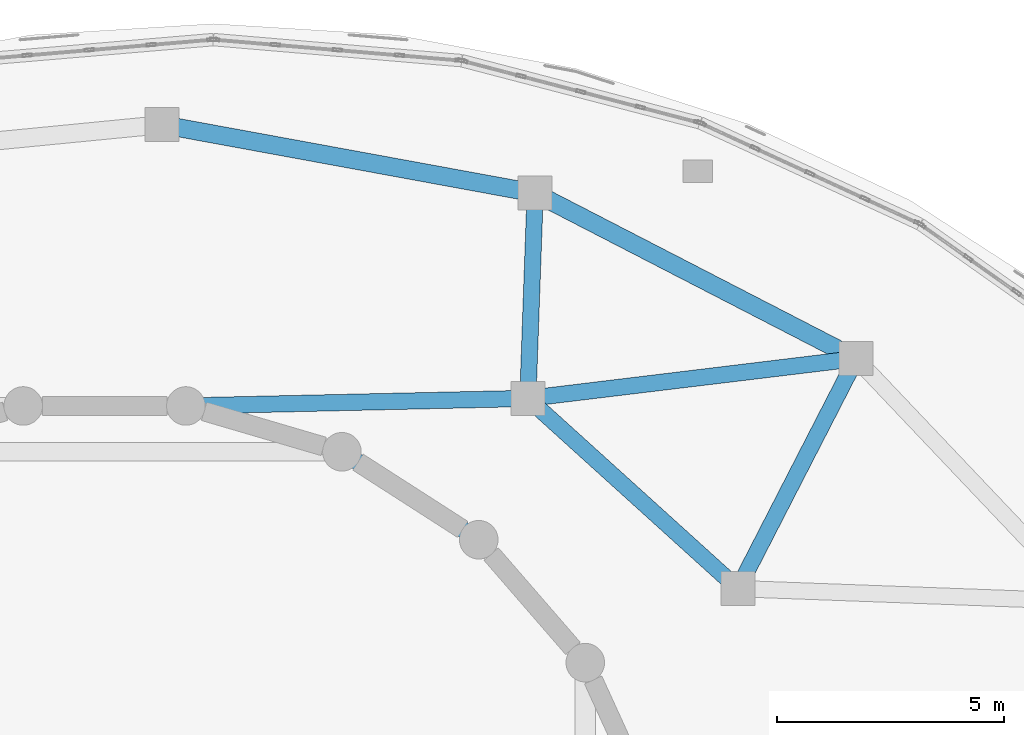
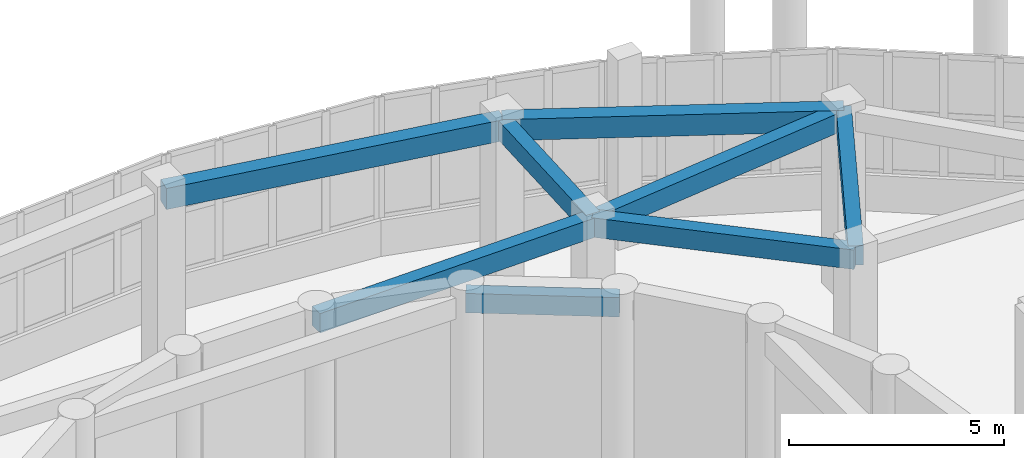
# One storey, part 47 of 96: 8 beams.
"""IFC4 building model written with IfcOpenShell, lengths in metres."""

import ifcopenshell
import ifcopenshell.guid

model = None  # the IFC model being written
_history = None  # IfcOwnerHistory: only IFC2X3 demands one
_inside = {}  # id of a spatial element -> (the spatial element, [elements in it])
_under = {}  # id of a project, library or spatial element -> (it, [spatial elements below it])
_declared = {}  # id of a project -> (the project, [libraries it declares])
_typed = {}  # id of a type object -> (the type object, [elements of that type])
_made_of = {}  # id of a material, layer set ... -> (it, [elements and type objects made of it])


def new_model(schema):
    """Start an empty IFC model of exactly this schema.

    Asked for "IFC4X3", IfcOpenShell would pick the latest addendum, in which some entities
    have other attributes; the version numbers below select the first issue.
    IFC2X3 requires an IfcOwnerHistory on every rooted entity: one is made here for all.
    """
    global model, _history
    if schema == "IFC4X3":
        model = ifcopenshell.file(schema_version=(4, 3, 0, 0))
    else:
        model = ifcopenshell.file(schema=schema)
    _inside.clear()
    _under.clear()
    _declared.clear()
    _typed.clear()
    _made_of.clear()
    _history = None
    if model.schema == "IFC2X3":
        org = make("IfcOrganization", Name="unknown")
        user = make(
            "IfcPersonAndOrganization",
            ThePerson=make("IfcPerson", FamilyName="unknown"),
            TheOrganization=org,
        )
        app = make(
            "IfcApplication",
            ApplicationDeveloper=org,
            Version="unknown",
            ApplicationFullName="unknown",
            ApplicationIdentifier="unknown",
        )
        _history = make(
            "IfcOwnerHistory",
            OwningUser=user,
            OwningApplication=app,
            ChangeAction="ADDED",
            CreationDate=0,
        )
    return model


def make(cls, **values):
    """One entity of the class cls with the attributes given. An attribute that is None is left unset."""
    return model.create_entity(
        cls, **{name: value for name, value in values.items() if value is not None}
    )


def rooted(cls, **values):
    """An entity with a GlobalId (a new one), such as an element, a storey or a relation."""
    return make(cls, GlobalId=ifcopenshell.guid.new(), OwnerHistory=_history, **values)


def si_unit(unit_type, name, prefix=None):
    """IfcSIUnit, for example si_unit("LENGTHUNIT", "METRE", prefix="MILLI")."""
    return make("IfcSIUnit", UnitType=unit_type, Prefix=prefix, Name=name)


def assignment(units):
    """IfcUnitAssignment: the units of a project."""
    return None if units is None else make("IfcUnitAssignment", Units=units)


def point(xyz):
    """IfcCartesianPoint."""
    return None if xyz is None else make("IfcCartesianPoint", Coordinates=xyz)


def direction(xyz):
    """IfcDirection."""
    return None if xyz is None else make("IfcDirection", DirectionRatios=xyz)


def frame(location, z_axis=None, x_axis=None):
    """IfcAxis2Placement3D, a coordinate frame: its origin and axes. An axis left out is left unset."""
    return make(
        "IfcAxis2Placement3D",
        Location=point(location),
        Axis=direction(z_axis),
        RefDirection=direction(x_axis),
    )


def frame_2d(location, x_axis=None):
    """IfcAxis2Placement2D, a coordinate frame in the plane: its origin and x axis."""
    return make(
        "IfcAxis2Placement2D", Location=point(location), RefDirection=direction(x_axis)
    )


def origin():
    """The frame at (0, 0, 0) with its axes left unset."""
    return frame((0.0, 0.0, 0.0))


def origin_2d():
    """The frame at (0, 0) in the plane with its x axis left unset."""
    return frame_2d((0.0, 0.0))


def place(relative_to, where):
    """IfcLocalPlacement: puts the frame where relative to a parent placement (None: the world)."""
    return make(
        "IfcLocalPlacement", PlacementRelTo=relative_to, RelativePlacement=where
    )


def context(
    kind, dimensions, precision=None, world=None, true_north=None, identifier=None
):
    """IfcGeometricRepresentationContext, for example the 3D "Model" context."""
    return make(
        "IfcGeometricRepresentationContext",
        ContextIdentifier=identifier,
        ContextType=kind,
        CoordinateSpaceDimension=dimensions,
        Precision=precision,
        WorldCoordinateSystem=world,
        TrueNorth=true_north,
    )


def subcontext(parent, identifier, kind, view, scale=None):
    """IfcGeometricRepresentationSubContext, for example "Body" below "Model"."""
    return make(
        "IfcGeometricRepresentationSubContext",
        ContextIdentifier=identifier,
        ContextType=kind,
        ParentContext=parent,
        TargetScale=scale,
        TargetView=view,
    )


def project(units=None, contexts=None):
    """IfcProject with its units and contexts."""
    return rooted(
        "IfcProject",
        Name="project",
        RepresentationContexts=contexts,
        UnitsInContext=assignment(units),
    )


def spatial(cls, under=None, at=None, **own):
    """A site, building, storey or space (cls), placed at a placement, below another one or the project."""
    s = rooted(cls, ObjectPlacement=at, **own)
    if under is not None:
        _under.setdefault(under.id(), (under, []))[1].append(s)
    return s


def profile(cls, at=None, kind="AREA", **sizes):
    """A parametric profile (cls). Its sizes go by their IFC names, for example OverallWidth=200.0."""
    return make(cls, ProfileType=kind, Position=at, **sizes)


def rectangle(**sizes):
    """IfcRectangleProfileDef."""
    return profile("IfcRectangleProfileDef", **sizes)


def extrude(swept, where, along, depth):
    """IfcExtrudedAreaSolid: the profile swept, set in the frame where, extruded along a direction by depth."""
    return make(
        "IfcExtrudedAreaSolid",
        SweptArea=swept,
        Position=where,
        ExtrudedDirection=direction(along),
        Depth=depth,
    )


def shape(context_of_items, identifier, shape_type, items):
    """IfcShapeRepresentation: the items that make up one representation, for example the "Body"."""
    return make(
        "IfcShapeRepresentation",
        ContextOfItems=context_of_items,
        RepresentationIdentifier=identifier,
        RepresentationType=shape_type,
        Items=items,
    )


def material(Name=None, Category=None):
    """IfcMaterial."""
    return make("IfcMaterial", Name=Name, Category=Category)


def material_profile(
    of_material, cross_section, Name=None, Category=None, Priority=None
):
    """IfcMaterialProfile: a cross section and its material."""
    return make(
        "IfcMaterialProfile",
        Name=Name,
        Material=of_material,
        Profile=cross_section,
        Priority=Priority,
        Category=Category,
    )


def profile_set(profiles, Name=None, composite=None):
    """IfcMaterialProfileSet."""
    return make(
        "IfcMaterialProfileSet",
        Name=Name,
        MaterialProfiles=profiles,
        CompositeProfile=composite,
    )


def made_of(thing, what):
    """Note that an element or type object is made of a material, layer set ...; save() writes the relation."""
    if what is not None:
        _made_of.setdefault(what.id(), (what, []))[1].append(thing)
    return thing


def type_object(cls, material=None, **own):
    """A type object (cls), such as IfcWallType, which elements share."""
    return made_of(rooted(cls, **own), material)


def element(
    cls,
    number,
    at=None,
    inside=None,
    cuts=None,
    type_object=None,
    material=None,
    context=None,
    identifier="Body",
    shape_type=None,
    held_by="IfcProductDefinitionShape",
    body=None,
    shapes=None,
    **own,
):
    """One element of the class cls, such as IfcWall. Its Tag is "e" and its number.

    at: its placement. inside: the storey or other place that contains it. cuts: it is an
    opening in that element (IfcRelVoidsElement). A single representation is given by context,
    identifier, shape_type and body (its items); several are given by shapes. held_by: the class
    of the entity that holds the representations. save() writes the other relations.
    """
    e = rooted(cls, Tag="e%d" % number, ObjectPlacement=at, **own)
    if body is not None:
        shapes = [shape(context, identifier, shape_type, body)]
    if shapes is not None:
        e.Representation = make(held_by, Representations=shapes)
    if inside is not None:
        _inside.setdefault(inside.id(), (inside, []))[1].append(e)
    if cuts is not None:
        rooted(
            "IfcRelVoidsElement", RelatingBuildingElement=cuts, RelatedOpeningElement=e
        )
    if type_object is not None:
        _typed.setdefault(type_object.id(), (type_object, []))[1].append(e)
    return made_of(e, material)


def aggregate(whole, parts):
    """IfcRelAggregates: a whole, such as a stair, and the parts it consists of."""
    return rooted("IfcRelAggregates", RelatingObject=whole, RelatedObjects=parts)


def save(model, path):
    """Write the relations noted so far, then the file.

    IfcRelAggregates (storeys below a building ...), IfcRelContainedInSpatialStructure (elements
    in a storey), IfcRelDefinesByType, IfcRelAssociatesMaterial and IfcRelDeclares: one each for
    every whole, place, type object, material and project.
    """
    for whole, parts in _under.values():
        aggregate(whole, parts)
    for where, things in _inside.values():
        rooted(
            "IfcRelContainedInSpatialStructure",
            RelatedElements=things,
            RelatingStructure=where,
        )
    for kind, things in _typed.values():
        rooted("IfcRelDefinesByType", RelatedObjects=things, RelatingType=kind)
    for what, things in _made_of.values():
        rooted("IfcRelAssociatesMaterial", RelatedObjects=things, RelatingMaterial=what)
    for by, libraries in _declared.values():
        rooted("IfcRelDeclares", RelatingContext=by, RelatedDefinitions=libraries)
    model.write(path)


model = new_model("IFC4")

# Units and contexts
model_context = context("Model", 3, precision=1e-05, world=origin(), true_north=direction((0.0, 1.0)))
body_context = subcontext(model_context, "Body", "Model", "MODEL_VIEW")
ifc_project = project(units=[si_unit("LENGTHUNIT", "METRE"), si_unit("AREAUNIT", "SQUARE_METRE"), si_unit("VOLUMEUNIT", "CUBIC_METRE"), si_unit("PLANEANGLEUNIT", "RADIAN"), si_unit("MASSUNIT", "GRAM", prefix="KILO")], contexts=[model_context])

# Site, building, storey
site_placement = place(None, origin())
site = spatial("IfcSite", under=ifc_project, at=site_placement, CompositionType="ELEMENT")
building_placement = place(site_placement, origin())
building = spatial("IfcBuilding", under=site, at=building_placement, Name="Pelvatis Terrace Science Centre", CompositionType="ELEMENT")
storey_placement = place(building_placement, origin())
storey = spatial("IfcBuildingStorey", under=building, at=storey_placement, Name="L00", CompositionType="ELEMENT", Elevation=0.0)

# Beams
ifc_material_1 = material(Name="Concrete C35/45", Category="concrete")
ifc_material_profile_1 = material_profile(ifc_material_1, rectangle(XDim=0.360107421875, YDim=0.550048828125, at=origin_2d()), Name="RC-BM 360x550")
ifc_profile_set_1 = profile_set([ifc_material_profile_1], Name="Concrete C35/45")
beam_type_1 = type_object("IfcBeamType", Name="BM-RC-360x550", PredefinedType="BEAM", material=ifc_profile_set_1)
beam_1_placement = place(storey_placement, frame((117.451171875, 95.322509765625, 4.864990234375), z_axis=(-0.841253667692, 0.540640607607, 0.0), x_axis=(-0.540640607607, -0.841253667692, 0.0)))
element("IfcBeam", 1, at=beam_1_placement, inside=storey, type_object=beam_type_1, Name="Beam BM-L00-2176", PredefinedType="BEAM", context=body_context, shape_type="SweptSolid", body=[
    extrude(rectangle(XDim=0.360107421875, YDim=0.550048828125, at=origin_2d()), origin(), (0.0, 0.0, 1.0), 3.58642578125),
])
beam_2_placement = place(storey_placement, frame((110.9931640625, 98.271728515625, 4.864990234375), z_axis=(0.999756299377, 0.022075820636, 0.0), x_axis=(-0.022075820636, 0.999756299377, 0.0)))
element("IfcBeam", 2, at=beam_2_placement, inside=storey, type_object=beam_type_1, Name="Beam BM-L00-2180", PredefinedType="BEAM", context=body_context, shape_type="SweptSolid", body=[
    extrude(rectangle(XDim=0.360107421875, YDim=0.550048828125, at=origin_2d()), origin(), (0.0, 0.0, 1.0), 7.54248046875),
])
beam_3_placement = place(storey_placement, frame((125.772705078125, 99.315185546875, 4.864990234375), z_axis=(-0.456833081813, -0.88955243542, 0.0), x_axis=(0.88955243542, -0.456833081813, 0.0)))
element("IfcBeam", 3, at=beam_3_placement, inside=storey, type_object=beam_type_1, Name="Beam BM-L00-2263", PredefinedType="BEAM", context=body_context, shape_type="SweptSolid", body=[
    extrude(rectangle(XDim=0.360107421875, YDim=0.550048828125, at=origin_2d()), origin(), (0.0, 0.0, 1.0), 5.7001953125),
])
beam_4_placement = place(storey_placement, frame((125.772705078125, 99.315185546875, 4.864990234375), z_axis=(-0.992742021156, -0.120263375265, 0.0), x_axis=(0.120263375265, -0.992742021156, 0.0)))
element("IfcBeam", 4, at=beam_4_placement, inside=storey, type_object=beam_type_1, Name="Beam BM-L00-2264", PredefinedType="BEAM", context=body_context, shape_type="SweptSolid", body=[
    extrude(rectangle(XDim=0.360107421875, YDim=0.550048828125, at=origin_2d()), origin(), (0.0, 0.0, 1.0), 7.2919921875),
])
beam_5_placement = place(storey_placement, frame((118.69482421875, 102.9658203125, 4.864990234375), z_axis=(-0.035566590656, -0.999367308665, 0.0), x_axis=(0.999367308665, -0.035566590656, 0.0)))
element("IfcBeam", 5, at=beam_5_placement, inside=storey, type_object=beam_type_1, Name="Beam BM-L00-2266", PredefinedType="BEAM", context=body_context, shape_type="SweptSolid", body=[
    extrude(rectangle(XDim=0.360107421875, YDim=0.550048828125, at=origin_2d()), origin(), (0.0, 0.0, 1.0), 4.530517578125),
])
beam_6_placement = place(storey_placement, frame((123.168701171875, 94.24462890625, 4.864990234375), z_axis=(-0.741533928448, 0.670915369447, 0.0), x_axis=(-0.670915369447, -0.741533928448, 0.0)))
element("IfcBeam", 6, at=beam_6_placement, inside=storey, type_object=beam_type_1, Name="Beam BM-L00-2288", PredefinedType="BEAM", context=body_context, shape_type="SweptSolid", body=[
    extrude(rectangle(XDim=0.360107421875, YDim=0.550048828125, at=origin_2d()), origin(), (0.0, 0.0, 1.0), 6.25048828125),
])
ifc_material_2 = material(Name="Concrete C35/45", Category="concrete")
ifc_material_profile_2 = material_profile(ifc_material_2, rectangle(XDim=0.39990234375, YDim=0.60009765625, at=origin_2d()), Name="RC-BM 400x600")
ifc_profile_set_2 = profile_set([ifc_material_profile_2], Name="Concrete C35/45")
beam_type_2 = type_object("IfcBeamType", Name="BM-RC-400x600", PredefinedType="BEAM", material=ifc_profile_set_2)
beam_7_placement = place(storey_placement, frame((125.772705078125, 99.315185546875, 4.840087890625), z_axis=(-0.888746773827, 0.458398486049, 0.0), x_axis=(-0.458398486049, -0.888746773827, 0.0)))
element("IfcBeam", 7, at=beam_7_placement, inside=storey, type_object=beam_type_2, Name="Beam BM-L00-2262", PredefinedType="BEAM", context=body_context, shape_type="SweptSolid", body=[
    extrude(rectangle(XDim=0.39990234375, YDim=0.60009765625, at=origin_2d()), origin(), (0.0, 0.0, 1.0), 7.9638671875),
])
beam_8_placement = place(storey_placement, frame((118.69482421875, 102.9658203125, 4.840087890625), z_axis=(-0.983601549943, 0.180355179991, 0.0), x_axis=(-0.180355179991, -0.983601549943, 0.0)))
element("IfcBeam", 8, at=beam_8_placement, inside=storey, type_object=beam_type_2, Name="Beam BM-L00-2265", PredefinedType="BEAM", context=body_context, shape_type="SweptSolid", body=[
    extrude(rectangle(XDim=0.39990234375, YDim=0.60009765625, at=origin_2d()), origin(), (0.0, 0.0, 1.0), 8.3603515625),
])

save(model, "model.ifc")
